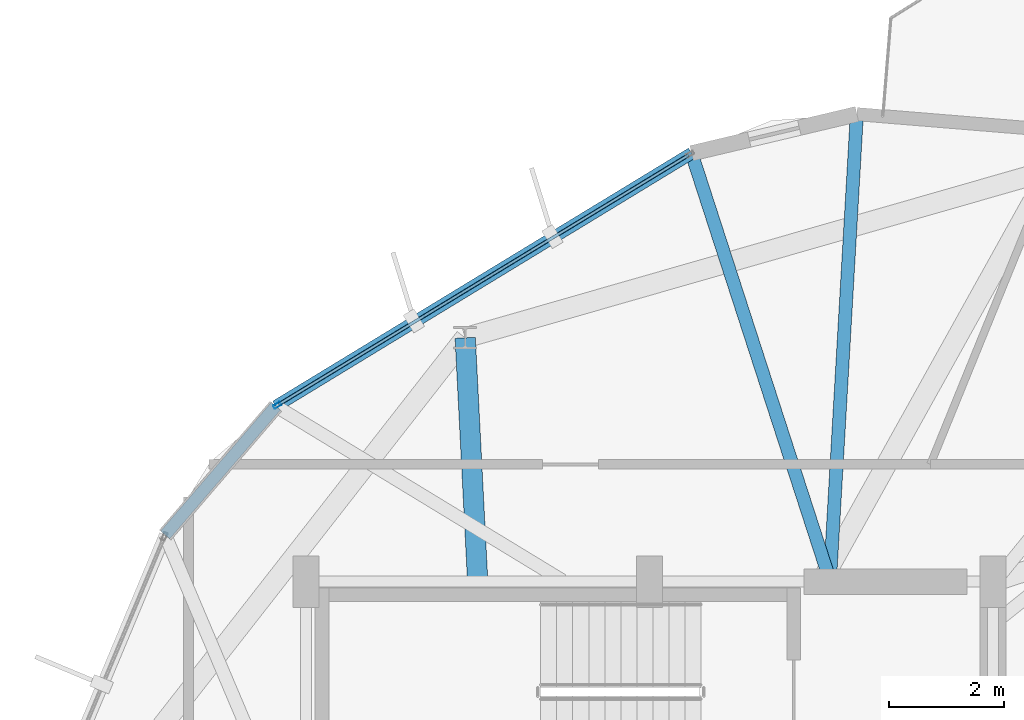
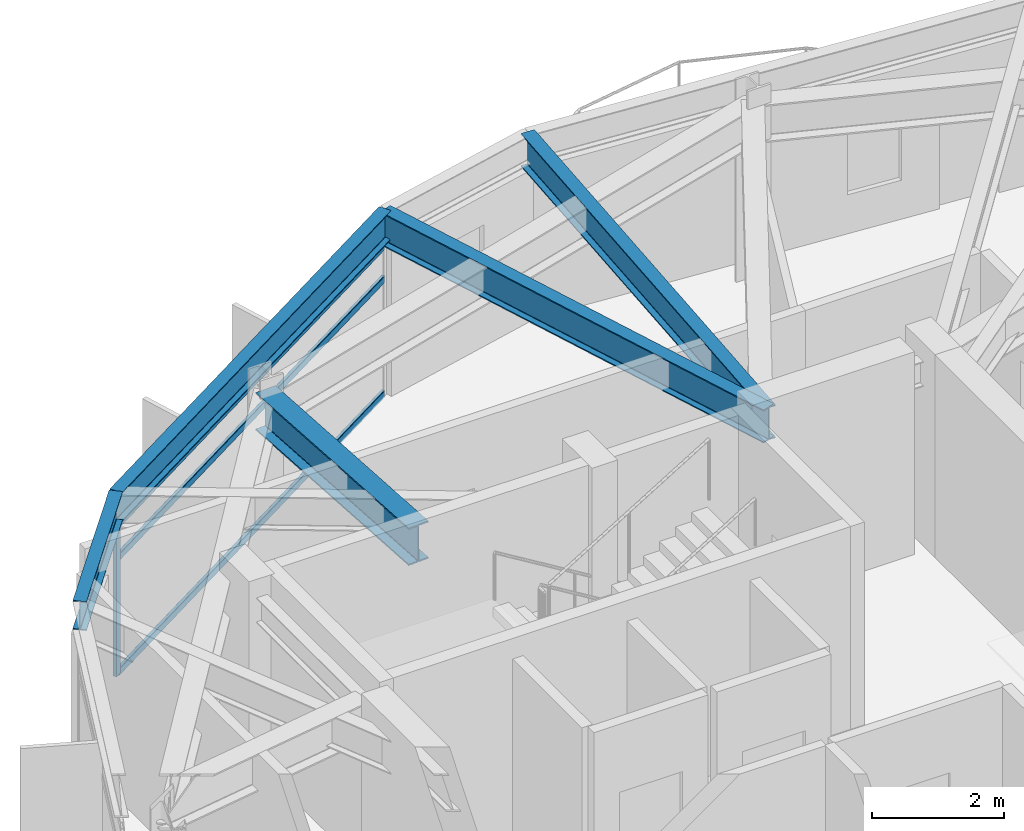
# One storey, part 13 of 23: 5 beams, 4 members, 1 element without a shape of its own.
"""IFC4 building model written with IfcOpenShell, lengths in metres."""

from ifc_helpers import new_model, si_unit, direction, frame, origin, origin_2d, place, context, subcontext, project, spatial, hollow_rectangle, i_section, extrude, material, layer, layer_set, material_profile, profile_set, type_object, element, aggregate, save


model = new_model("IFC4")

# Units and contexts
model_context = context("Model", 3, precision=1e-05, world=origin(), true_north=direction((0.0, 1.0)))
body_context = subcontext(model_context, "Body", "Model", "MODEL_VIEW")
ifc_project = project(units=[si_unit("LENGTHUNIT", "METRE"), si_unit("AREAUNIT", "SQUARE_METRE"), si_unit("VOLUMEUNIT", "CUBIC_METRE"), si_unit("PLANEANGLEUNIT", "RADIAN"), si_unit("MASSUNIT", "GRAM", prefix="KILO")], contexts=[model_context])

# Site, building, storey
site_placement = place(None, origin())
site = spatial("IfcSite", under=ifc_project, at=site_placement, CompositionType="ELEMENT")
building_placement = place(site_placement, origin())
building = spatial("IfcBuilding", under=site, at=building_placement, Name="Soratama Intermodal Tower", CompositionType="ELEMENT")
storey_placement = place(building_placement, frame((0.0, 0.0, 280.0)))
storey = spatial("IfcBuildingStorey", under=building, at=storey_placement, Name="L71", CompositionType="ELEMENT", Elevation=280.0)

# Beams
ifc_material_1 = material(Name="Structural steel ASTM A992 Grade 50", Category="steel")
ifc_material_profile_1 = material_profile(ifc_material_1, i_section(OverallWidth=0.35498046875, OverallDepth=0.695068359375, WebThickness=0.015380859375, FlangeThickness=0.02490234375, FilletRadius=0.01611328125, at=origin_2d()), Name="W27X146")
ifc_profile_set_1 = profile_set([ifc_material_profile_1], Name="Structural steel ASTM A992 Grade 50")
beam_type_1 = type_object("IfcBeamType", Name="BM-RING-W27X146", PredefinedType="BEAM", material=ifc_profile_set_1)
beam_1_placement = place(storey_placement, frame((35.60009765625, 35.0, 3.0625), z_axis=(-0.051122516685, 0.998692389221, 0.0), x_axis=(-0.998692389221, -0.051122516685, 0.0)))
element("IfcBeam", 1, at=beam_1_placement, inside=storey, type_object=beam_type_1, Name="BM-L71-RAD-04", PredefinedType="BEAM", context=body_context, shape_type="SweptSolid", body=[
    extrude(i_section(OverallWidth=0.35498046875, OverallDepth=0.695068359375, WebThickness=0.015380859375, FlangeThickness=0.02490234375, FilletRadius=0.01611328125, at=origin_2d()), origin(), (0.0, 0.0, 1.0), 4.2646484375),
])
ifc_material_2 = material(Name="Structural steel ASTM A992 Grade 50", Category="steel")
ifc_material_profile_2 = material_profile(ifc_material_2, i_section(OverallWidth=0.2099609375, OverallDepth=0.537109375, WebThickness=0.010986328125, FlangeThickness=0.017333984375, FilletRadius=0.012939453125, at=origin_2d()), Name="W21X68")
ifc_profile_set_2 = profile_set([ifc_material_profile_2], Name="Structural steel ASTM A992 Grade 50")
beam_type_2 = type_object("IfcBeamType", Name="BM-SPN-W21X68", PredefinedType="SPANDREL", material=ifc_profile_set_2)
beam_2_placement = place(storey_placement, frame((39.3359375, 42.48291015625, 3.1416015625), z_axis=(-0.85429061859, -0.519795670422, 0.0), x_axis=(0.519795670422, -0.85429061859, 0.0)))
element("IfcBeam", 2, at=beam_2_placement, inside=storey, type_object=beam_type_2, Name="BS-L71-F02", PredefinedType="SPANDREL", context=body_context, shape_type="SweptSolid", body=[
    extrude(i_section(OverallWidth=0.2099609375, OverallDepth=0.537109375, WebThickness=0.010986328125, FlangeThickness=0.017333984375, FilletRadius=0.012939453125, at=origin_2d()), origin(), (0.0, 0.0, 1.0), 8.49951171875),
])
beam_3_placement = place(storey_placement, frame((32.074951171875, 38.06494140625, 3.1416015625), z_axis=(-0.651976810256, -0.758238906209, 0.0), x_axis=(0.758238906209, -0.651976810256, 0.0)))
element("IfcBeam", 3, at=beam_3_placement, inside=storey, type_object=beam_type_2, Name="BS-L71-CRN02", PredefinedType="SPANDREL", context=body_context, shape_type="SweptSolid", body=[
    extrude(i_section(OverallWidth=0.2099609375, OverallDepth=0.537109375, WebThickness=0.010986328125, FlangeThickness=0.017333984375, FilletRadius=0.012939453125, at=origin_2d()), origin(), (0.0, 0.0, 1.0), 2.966064453125),
])
ifc_material_3 = material(Name="Structural steel ASTM A992 Grade 50", Category="steel")
ifc_material_profile_3 = material_profile(ifc_material_3, i_section(OverallWidth=0.22900390625, OverallDepth=0.612060546875, WebThickness=0.011962890625, FlangeThickness=0.01953125, FilletRadius=0.012939453125, at=origin_2d()), Name="W24X84")
ifc_profile_set_3 = profile_set([ifc_material_profile_3], Name="Structural steel ASTM A992 Grade 50")
beam_type_3 = type_object("IfcBeamType", Name="BM-TIE-W24X84", PredefinedType="BEAM", material=ifc_profile_set_3)
beam_4_placement = place(storey_placement, frame((41.7529296875, 35.0400390625, 3.10400390625), z_axis=(0.057732194901, 0.998332105901, 0.0), x_axis=(-0.998332105901, 0.057732194901, 0.0)))
element("IfcBeam", 4, at=beam_4_placement, inside=storey, type_object=beam_type_3, Name="BM-L71-TIE1-01", PredefinedType="BEAM", context=body_context, shape_type="SweptSolid", body=[
    extrude(i_section(OverallWidth=0.22900390625, OverallDepth=0.612060546875, WebThickness=0.011962890625, FlangeThickness=0.01953125, FilletRadius=0.012939453125, at=origin_2d()), origin(), (0.0, 0.0, 1.0), 8.140625),
])
beam_5_placement = place(storey_placement, frame((41.748046875, 35.0380859375, 3.10400390625), z_axis=(-0.308223934429, 0.951313831627, 0.0), x_axis=(-0.951313831627, -0.308223934429, 0.0)))
element("IfcBeam", 5, at=beam_5_placement, inside=storey, type_object=beam_type_3, Name="BM-L71-TIE0-02", PredefinedType="BEAM", context=body_context, shape_type="SweptSolid", body=[
    extrude(i_section(OverallWidth=0.22900390625, OverallDepth=0.612060546875, WebThickness=0.011962890625, FlangeThickness=0.01953125, FilletRadius=0.012939453125, at=origin_2d()), origin(), (0.0, 0.0, 1.0), 7.825927734375),
])

# Curtain wall, members
ifc_material_4 = material(Name="Double-glazed aluminium curtain wall", Category="aluminium")
ifc_layer = layer(ifc_material_4, 0.159912109375)
ifc_layer_set = layer_set([ifc_layer], Name="Double-glazed aluminium curtain wall")
curtain_wall_type = type_object("IfcCurtainWallType", Name="CW-SYS-5", PredefinedType="NOTDEFINED", material=ifc_layer_set)
curtain_wall_placement = place(storey_placement, origin())
curtain_wall = element("IfcCurtainWall", 6, at=curtain_wall_placement, inside=storey, type_object=curtain_wall_type, Name="L71 Faceted Curtain Wall F02", PredefinedType="NOTDEFINED")
ifc_material_5 = material(Name="Anodised aluminium AA 6063-T6", Category="aluminium")
ifc_material_profile_4 = material_profile(ifc_material_5, hollow_rectangle(XDim=0.06494140625, YDim=0.139892578125, WallThickness=0.0048828125, InnerFilletRadius=0.0048828125, OuterFilletRadius=0.010009765625, at=origin_2d()), Name="CWM140X65X5")
ifc_profile_set_4 = profile_set([ifc_material_profile_4], Name="Anodised aluminium AA 6063-T6")
member_type_1 = type_object("IfcMemberType", Name="MT-CWM-5", PredefinedType="MULLION", material=ifc_profile_set_4)
member_1_placement = place(storey_placement, frame((32.100830078125, 38.080810546875, 0.0), z_axis=(0.0, 0.0, 1.0), x_axis=(0.519812949336, -0.854280104944, 0.0)))
member_1 = element("IfcMember", 7, at=member_1_placement, type_object=member_type_1, Name="CW-5 mullion 2", PredefinedType="MULLION", context=body_context, shape_type="SweptSolid", body=[
    extrude(hollow_rectangle(XDim=0.06494140625, YDim=0.139892578125, WallThickness=0.0048828125, InnerFilletRadius=0.0048828125, OuterFilletRadius=0.010009765625, at=origin_2d()), origin(), (0.0, 0.0, 1.0), 2.7890625),
])
ifc_material_6 = material(Name="Anodised aluminium AA 6063-T6", Category="aluminium")
ifc_material_profile_5 = material_profile(ifc_material_6, hollow_rectangle(XDim=0.06005859375, YDim=0.1298828125, WallThickness=0.0048828125, InnerFilletRadius=0.0048828125, OuterFilletRadius=0.010009765625, at=origin_2d()), Name="CWT130X60X5")
ifc_profile_set_5 = profile_set([ifc_material_profile_5], Name="Anodised aluminium AA 6063-T6")
member_type_2 = type_object("IfcMemberType", Name="TT-CWT-2", PredefinedType="USERDEFINED", material=ifc_profile_set_5)
member_2_placement = place(storey_placement, frame((39.28515625, 42.452392578125, 0.030029296875), z_axis=(-0.854278434024, -0.519815695378, 0.0), x_axis=(0.519815695378, -0.854278434024, 0.0)))
member_2 = element("IfcMember", 8, at=member_2_placement, type_object=member_type_2, Name="CW-5 transom 1.1", ObjectType="TRANSOM", PredefinedType="USERDEFINED", context=body_context, shape_type="SweptSolid", body=[
    extrude(hollow_rectangle(XDim=0.06005859375, YDim=0.1298828125, WallThickness=0.0048828125, InnerFilletRadius=0.0048828125, OuterFilletRadius=0.010009765625, at=origin_2d()), origin(), (0.0, 0.0, 1.0), 8.3798828125),
])
member_3_placement = place(storey_placement, frame((39.28515625, 42.452392578125, 2.14990234375), z_axis=(-0.854278434024, -0.519815695378, 0.0), x_axis=(0.519815695378, -0.854278434024, 0.0)))
member_3 = element("IfcMember", 9, at=member_3_placement, type_object=member_type_2, Name="CW-5 transom 1.2", ObjectType="TRANSOM", PredefinedType="USERDEFINED", context=body_context, shape_type="SweptSolid", body=[
    extrude(hollow_rectangle(XDim=0.06005859375, YDim=0.1298828125, WallThickness=0.0048828125, InnerFilletRadius=0.0048828125, OuterFilletRadius=0.010009765625, at=origin_2d()), origin(), (0.0, 0.0, 1.0), 8.3798828125),
])
member_4_placement = place(storey_placement, frame((39.28515625, 42.452392578125, 2.759033203125), z_axis=(-0.854278434024, -0.519815695378, 0.0), x_axis=(0.519815695378, -0.854278434024, 0.0)))
member_4 = element("IfcMember", 10, at=member_4_placement, type_object=member_type_2, Name="CW-5 transom 1.3", ObjectType="TRANSOM", PredefinedType="USERDEFINED", context=body_context, shape_type="SweptSolid", body=[
    extrude(hollow_rectangle(XDim=0.06005859375, YDim=0.1298828125, WallThickness=0.0048828125, InnerFilletRadius=0.0048828125, OuterFilletRadius=0.010009765625, at=origin_2d()), origin(), (0.0, 0.0, 1.0), 8.3798828125),
])
aggregate(curtain_wall, [member_1, member_2, member_3, member_4])

save(model, "model.ifc")
